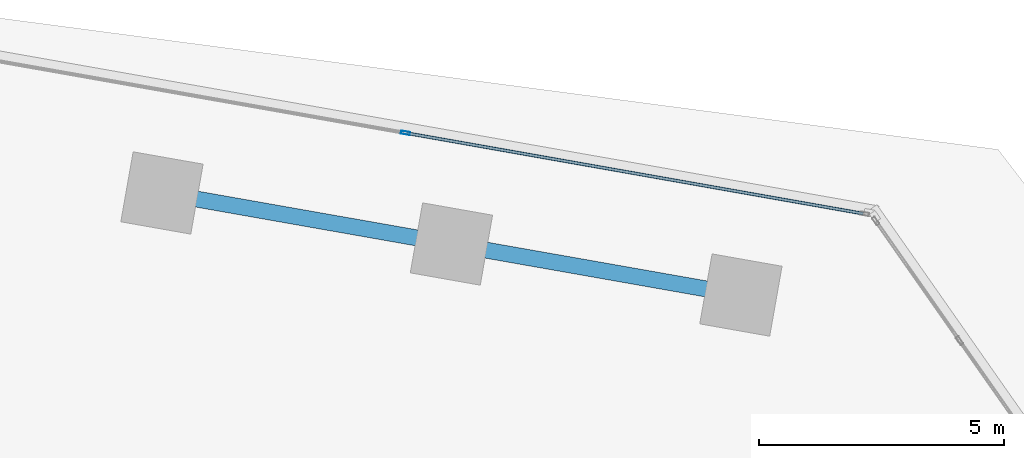
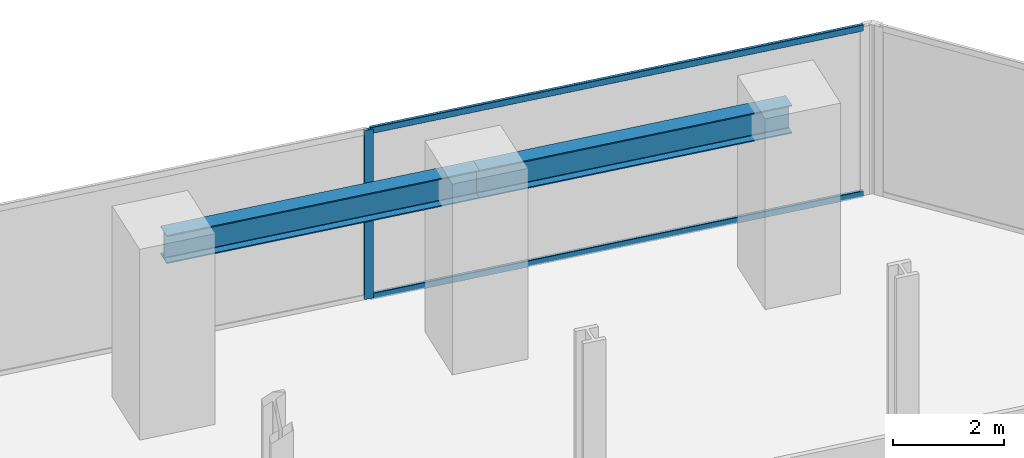
# One storey, part 12 of 24: 3 members, 2 beams, 1 element without a shape of its own.
"""IFC4 building model written with IfcOpenShell, lengths in metres."""

from ifc_helpers import new_model, si_unit, direction, frame, origin, origin_2d, place, context, subcontext, project, spatial, hollow_rectangle, i_section, extrude, source, transform, mapped, material, material_profile, profile_set, type_object, element, aggregate, save


model = new_model("IFC4")

# Units and contexts
model_context = context("Model", 3, precision=1e-05, world=origin(), true_north=direction((0.0, 1.0)))
body_context = subcontext(model_context, "Body", "Model", "MODEL_VIEW")
ifc_project = project(units=[si_unit("LENGTHUNIT", "METRE"), si_unit("AREAUNIT", "SQUARE_METRE"), si_unit("VOLUMEUNIT", "CUBIC_METRE"), si_unit("PLANEANGLEUNIT", "RADIAN"), si_unit("MASSUNIT", "GRAM", prefix="KILO")], contexts=[model_context])

# Site, building, storey
site_placement = place(None, origin())
site = spatial("IfcSite", under=ifc_project, at=site_placement, CompositionType="ELEMENT")
building_placement = place(site_placement, origin())
building = spatial("IfcBuilding", under=site, at=building_placement, Name="Torre Montelarca", CompositionType="ELEMENT")
storey_placement = place(building_placement, frame((0.0, 0.0, 74.800048828125)))
storey = spatial("IfcBuildingStorey", under=building, at=storey_placement, Name="L16", CompositionType="ELEMENT", Elevation=74.800048828125)

# Beams
ifc_material_1 = material(Name="Steel ASTM A992 Grade 50", Category="steel")
ifc_material_profile_1 = material_profile(ifc_material_1, i_section(OverallWidth=0.326904296875, OverallDepth=0.6220703125, WebThickness=0.015380859375, FlangeThickness=0.0244140625, FilletRadius=0.014892578125, at=origin_2d()), Name="W610X195", Category="steel")
ifc_profile_set_1 = profile_set([ifc_material_profile_1], Name="Steel ASTM A992 Grade 50")
beam_type = type_object("IfcBeamType", Name="BM-G-W610H", PredefinedType="BEAM", material=ifc_profile_set_1)
shared_shape_1 = source(origin(), body_context, "Body", "SweptSolid", [
    extrude(i_section(OverallWidth=0.326904296875, OverallDepth=0.6220703125, WebThickness=0.015380859375, FlangeThickness=0.0244140625, FilletRadius=0.014892578125, at=origin_2d()), origin(), (0.0, 0.0, 1.0), 6.0),
])
beam_1_placement = place(storey_placement, frame((44.11962890625, 42.2275390625, 3.64892578125), z_axis=(0.984805261243, -0.173662308598, 0.0), x_axis=(0.173662308598, 0.984805261243, 0.0)))
element("IfcBeam", 1, at=beam_1_placement, inside=storey, type_object=beam_type, Name="L16 Grid Girder X 42.0-48.0 at Y=46.0", PredefinedType="BEAM", context=body_context, shape_type="MappedRepresentation", body=[
    mapped(shared_shape_1, transform((0.0, 0.0, 0.0), scale=1.0)),
])
shared_shape_2 = source(origin(), body_context, "Body", "SweptSolid", [
    extrude(i_section(OverallWidth=0.326904296875, OverallDepth=0.6220703125, WebThickness=0.015380859375, FlangeThickness=0.0244140625, FilletRadius=0.014892578125, at=origin_2d()), origin(), (0.0, 0.0, 1.0), 5.999755859375),
])
beam_2_placement = place(storey_placement, frame((50.028564453125, 41.185546875, 3.64892578125), z_axis=(0.984810992686, -0.173629803561, 0.0), x_axis=(0.173629803561, 0.984810992686, 0.0)))
element("IfcBeam", 2, at=beam_2_placement, inside=storey, type_object=beam_type, Name="L16 Grid Girder X 48.0-54.0 at Y=46.0", PredefinedType="BEAM", context=body_context, shape_type="MappedRepresentation", body=[
    mapped(shared_shape_2, transform((0.0, 0.0, 0.0), scale=1.0)),
])

# Curtain wall, members
ifc_material_2 = material(Name="Insulated low-E laminated glass", Category="glass")
curtain_wall_type = type_object("IfcCurtainWallType", Name="CW-SYS-Z1", PredefinedType="USERDEFINED", material=ifc_material_2)
curtain_wall_placement = place(storey_placement, origin())
curtain_wall = element("IfcCurtainWall", 3, at=curtain_wall_placement, inside=storey, type_object=curtain_wall_type, Name="L16 Curtain Wall Run CW-T3-L16-E08-B1", ObjectType="UNITISED GLAZING", PredefinedType="USERDEFINED")
ifc_material_3 = material(Name="Anodised aluminium AA 6063-T6", Category="aluminium")
ifc_material_profile_2 = material_profile(ifc_material_3, hollow_rectangle(XDim=0.06494140625, YDim=0.179931640625, WallThickness=0.00390625, InnerFilletRadius=0.00390625, OuterFilletRadius=0.008056640625, at=origin_2d()), Name="ALU65X180X4", Category="aluminium")
ifc_profile_set_2 = profile_set([ifc_material_profile_2], Name="Anodised aluminium AA 6063-T6")
member_type_1 = type_object("IfcMemberType", Name="CWM-ALU180", PredefinedType="MULLION", material=ifc_profile_set_2)
shared_shape_3 = source(origin(), body_context, "Body", "SweptSolid", [
    extrude(hollow_rectangle(XDim=0.06494140625, YDim=0.179931640625, WallThickness=0.00390625, InnerFilletRadius=0.00390625, OuterFilletRadius=0.008056640625, at=origin_2d()), origin(), (0.0, 0.0, 1.0), 3.719970703125),
])
member_1_placement = place(storey_placement, frame((49.090087890625, 43.453125, 0.0), z_axis=(0.0, 0.0, 1.0), x_axis=(-0.173643193311, -0.984808631876, 0.0)))
member_1 = element("IfcMember", 4, at=member_1_placement, type_object=member_type_1, Name="CW mullion 2", PredefinedType="MULLION", context=body_context, shape_type="MappedRepresentation", body=[
    mapped(shared_shape_3, transform((0.0, 0.0, 0.0), scale=1.0)),
])
ifc_material_profile_3 = material_profile(ifc_material_3, hollow_rectangle(XDim=0.06494140625, YDim=0.139892578125, WallThickness=0.00390625, InnerFilletRadius=0.00390625, OuterFilletRadius=0.008056640625, at=origin_2d()), Name="ALU65X140X4", Category="aluminium")
ifc_profile_set_3 = profile_set([ifc_material_profile_3], Name="Anodised aluminium AA 6063-T6")
member_type_2 = type_object("IfcMemberType", Name="CWT-ALU140", PredefinedType="USERDEFINED", material=ifc_profile_set_3)
shared_shape_4 = source(origin(), body_context, "Body", "SweptSolid", [
    extrude(hollow_rectangle(XDim=0.06494140625, YDim=0.139892578125, WallThickness=0.00390625, InnerFilletRadius=0.00390625, OuterFilletRadius=0.008056640625, at=origin_2d()), origin(), (0.0, 0.0, 1.0), 9.45458984375),
])
member_2_placement = place(storey_placement, frame((58.43310546875, 41.8056640625, 0.032470703125), z_axis=(-0.98480668608, 0.173654228431, 0.0), x_axis=(-0.173654228431, -0.98480668608, 0.0)))
member_2 = element("IfcMember", 5, at=member_2_placement, type_object=member_type_2, Name="CW transom 1.1", ObjectType="TRANSOM", PredefinedType="USERDEFINED", context=body_context, shape_type="MappedRepresentation", body=[
    mapped(shared_shape_4, transform((0.0, 0.0, 0.0), scale=1.0)),
])
member_3_placement = place(storey_placement, frame((58.43310546875, 41.8056640625, 3.6875), z_axis=(-0.98480668608, 0.173654228431, 0.0), x_axis=(-0.173654228431, -0.98480668608, 0.0)))
member_3 = element("IfcMember", 6, at=member_3_placement, type_object=member_type_2, Name="CW transom 1.2", ObjectType="TRANSOM", PredefinedType="USERDEFINED", context=body_context, shape_type="MappedRepresentation", body=[
    mapped(shared_shape_4, transform((0.0, 0.0, 0.0), scale=1.0)),
])
aggregate(curtain_wall, [member_1, member_2, member_3])

save(model, "model.ifc")
